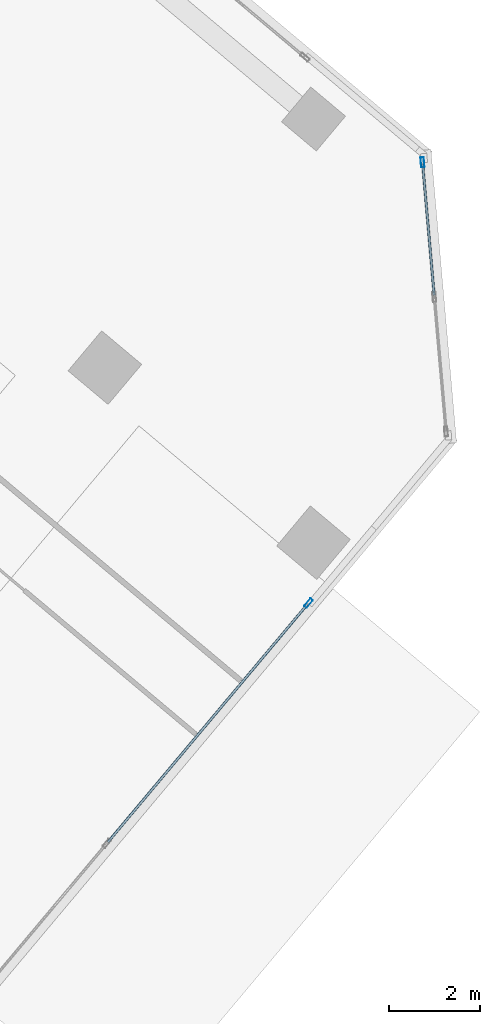
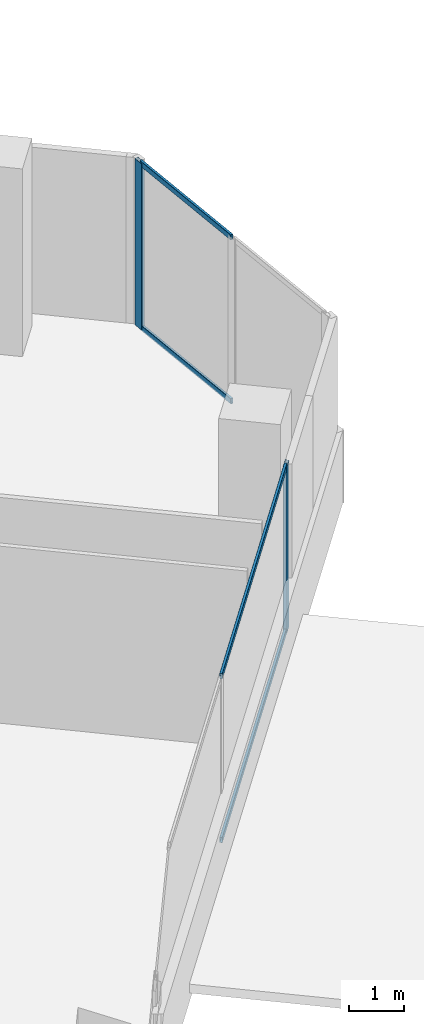
# One storey, part 6 of 17: 6 members, 2 elements without a shape of their own.
"""IFC4 building model written with IfcOpenShell, lengths in metres."""

from ifc_helpers import new_model, si_unit, direction, frame, origin, origin_2d, place, context, subcontext, project, spatial, hollow_rectangle, extrude, source, transform, mapped, material, material_profile, profile_set, type_object, element, aggregate, save


model = new_model("IFC4")

# Units and contexts
model_context = context("Model", 3, precision=1e-05, world=origin(), true_north=direction((0.0, 1.0)))
body_context = subcontext(model_context, "Body", "Model", "MODEL_VIEW")
ifc_project = project(units=[si_unit("LENGTHUNIT", "METRE"), si_unit("AREAUNIT", "SQUARE_METRE"), si_unit("VOLUMEUNIT", "CUBIC_METRE"), si_unit("PLANEANGLEUNIT", "RADIAN"), si_unit("MASSUNIT", "GRAM", prefix="KILO")], contexts=[model_context])

# Site, building, storey
site_placement = place(None, origin())
site = spatial("IfcSite", under=ifc_project, at=site_placement, CompositionType="ELEMENT")
building_placement = place(site_placement, origin())
building = spatial("IfcBuilding", under=site, at=building_placement, Name="Torre Montelarca", CompositionType="ELEMENT")
storey_placement = place(building_placement, frame((0.0, 0.0, 220.60009765625)))
storey = spatial("IfcBuildingStorey", under=building, at=storey_placement, Name="L49", CompositionType="ELEMENT", Elevation=220.60009765625)

# Curtain wall, members
ifc_material_1 = material(Name="Insulated low-E laminated glass", Category="glass")
curtain_wall_type = type_object("IfcCurtainWallType", Name="CW-SYS-Z3", PredefinedType="USERDEFINED", material=ifc_material_1)
curtain_wall_1_placement = place(storey_placement, origin())
curtain_wall_1 = element("IfcCurtainWall", 1, at=curtain_wall_1_placement, inside=storey, type_object=curtain_wall_type, Name="L49 Curtain Wall Run CW-T3-L49-E07-B1", ObjectType="UNITISED GLAZING", PredefinedType="USERDEFINED")
ifc_material_2 = material(Name="Anodised aluminium AA 6063-T6", Category="aluminium")
ifc_material_profile_1 = material_profile(ifc_material_2, hollow_rectangle(XDim=0.054931640625, YDim=0.1201171875, WallThickness=0.00341796875, InnerFilletRadius=0.00341796875, OuterFilletRadius=0.007080078125, at=origin_2d()), Name="ALU55X120X3.5", Category="aluminium")
ifc_profile_set_1 = profile_set([ifc_material_profile_1], Name="Anodised aluminium AA 6063-T6")
member_type_1 = type_object("IfcMemberType", Name="CWT-ALU120", PredefinedType="USERDEFINED", material=ifc_profile_set_1)
shared_shape_1 = source(origin(), body_context, "Body", "SweptSolid", [
    extrude(hollow_rectangle(XDim=0.054931640625, YDim=0.1201171875, WallThickness=0.00341796875, InnerFilletRadius=0.00341796875, OuterFilletRadius=0.007080078125, at=origin_2d()), origin(), (0.0, 0.0, 1.0), 2.9033203125),
])
member_1_placement = place(storey_placement, frame((45.00390625, 30.403076171875, 0.02734375), z_axis=(-0.08719928677, 0.996190887524, 0.0), x_axis=(-0.996190887524, -0.08719928677, 0.0)))
member_1 = element("IfcMember", 2, at=member_1_placement, type_object=member_type_1, Name="CW transom 2.1", ObjectType="TRANSOM", PredefinedType="USERDEFINED", context=body_context, shape_type="MappedRepresentation", body=[
    mapped(shared_shape_1, transform((0.0, 0.0, 0.0), scale=1.0)),
])
member_2_placement = place(storey_placement, frame((45.00390625, 30.403076171875, 3.6923828125), z_axis=(-0.08719928677, 0.996190887524, 0.0), x_axis=(-0.996190887524, -0.08719928677, 0.0)))
member_2 = element("IfcMember", 3, at=member_2_placement, type_object=member_type_1, Name="CW transom 2.2", ObjectType="TRANSOM", PredefinedType="USERDEFINED", context=body_context, shape_type="MappedRepresentation", body=[
    mapped(shared_shape_1, transform((0.0, 0.0, 0.0), scale=1.0)),
])

# Curtain wall, member
curtain_wall_2_placement = place(storey_placement, origin())
curtain_wall_2 = element("IfcCurtainWall", 4, at=curtain_wall_2_placement, inside=storey, type_object=curtain_wall_type, Name="L49 Curtain Wall Run CW-T3-L49-E06-B1", ObjectType="UNITISED GLAZING", PredefinedType="USERDEFINED")
ifc_material_profile_2 = material_profile(ifc_material_2, hollow_rectangle(XDim=0.074951171875, YDim=0.219970703125, WallThickness=0.0048828125, InnerFilletRadius=0.0048828125, OuterFilletRadius=0.010009765625, at=origin_2d()), Name="ALU75X220X5", Category="aluminium")
ifc_profile_set_2 = profile_set([ifc_material_profile_2], Name="Anodised aluminium AA 6063-T6")
member_type_2 = type_object("IfcMemberType", Name="CWM-ALU220", PredefinedType="MULLION", material=ifc_profile_set_2)
shared_shape_2 = source(origin(), body_context, "Body", "SweptSolid", [
    extrude(hollow_rectangle(XDim=0.074951171875, YDim=0.219970703125, WallThickness=0.0048828125, InnerFilletRadius=0.0048828125, OuterFilletRadius=0.010009765625, at=origin_2d()), origin(), (0.0, 0.0, 1.0), 3.719970703125),
])
member_3_placement = place(storey_placement, frame((42.23388671875, 23.619384765625, 0.0), z_axis=(0.0, 0.0, 1.0), x_axis=(-0.766046418245, 0.642785255815, 0.0)))
member_3 = element("IfcMember", 5, at=member_3_placement, type_object=member_type_2, Name="CW mullion 3", PredefinedType="MULLION", context=body_context, shape_type="MappedRepresentation", body=[
    mapped(shared_shape_2, transform((0.0, 0.0, 0.0), scale=1.0)),
])

# Member
member_4_placement = place(storey_placement, frame((44.74755859375, 33.332763671875, 0.0), z_axis=(0.0, 0.0, 1.0), x_axis=(-0.996192349816, -0.087182579501, 0.0)))
member_4 = element("IfcMember", 6, at=member_4_placement, type_object=member_type_2, Name="CW mullion 3", PredefinedType="MULLION", context=body_context, shape_type="MappedRepresentation", body=[
    mapped(shared_shape_2, transform((0.0, 0.0, 0.0), scale=1.0)),
])

aggregate(curtain_wall_1, [member_4, member_1, member_2])

shared_shape_3 = source(origin(), body_context, "Body", "SweptSolid", [
    extrude(hollow_rectangle(XDim=0.054931640625, YDim=0.1201171875, WallThickness=0.00341796875, InnerFilletRadius=0.00341796875, OuterFilletRadius=0.007080078125, at=origin_2d()), origin(), (0.0, 0.0, 1.0), 6.83251953125),
])
member_5_placement = place(storey_placement, frame((37.81787109375, 18.356689453125, 0.02734375), z_axis=(0.642795621977, 0.766037719937, 0.0), x_axis=(-0.766037719937, 0.642795621977, 0.0)))
member_5 = element("IfcMember", 7, at=member_5_placement, type_object=member_type_1, Name="CW transom 2.1", ObjectType="TRANSOM", PredefinedType="USERDEFINED", context=body_context, shape_type="MappedRepresentation", body=[
    mapped(shared_shape_3, transform((0.0, 0.0, 0.0), scale=1.0)),
])

member_6_placement = place(storey_placement, frame((37.81787109375, 18.356689453125, 3.6923828125), z_axis=(0.642795621977, 0.766037719937, 0.0), x_axis=(-0.766037719937, 0.642795621977, 0.0)))
member_6 = element("IfcMember", 8, at=member_6_placement, type_object=member_type_1, Name="CW transom 2.2", ObjectType="TRANSOM", PredefinedType="USERDEFINED", context=body_context, shape_type="MappedRepresentation", body=[
    mapped(shared_shape_3, transform((0.0, 0.0, 0.0), scale=1.0)),
])

aggregate(curtain_wall_2, [member_3, member_5, member_6])

save(model, "model.ifc")
